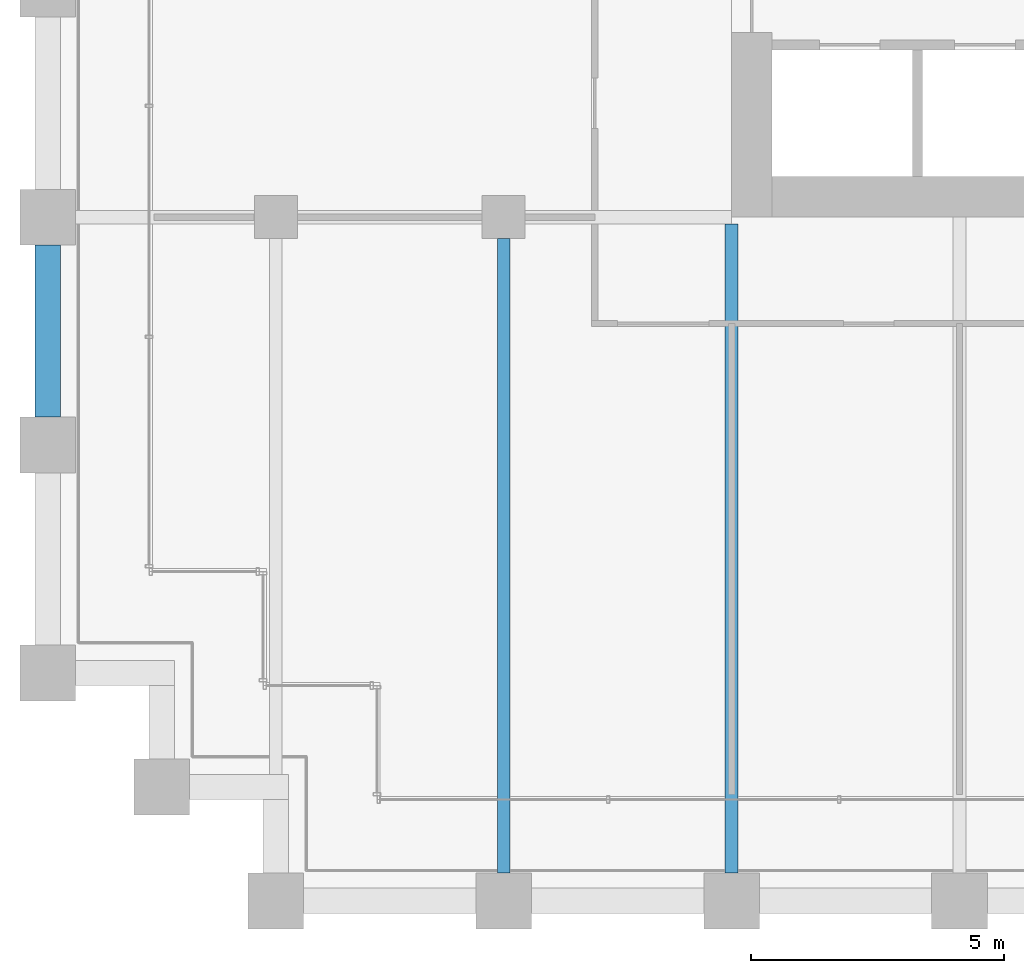
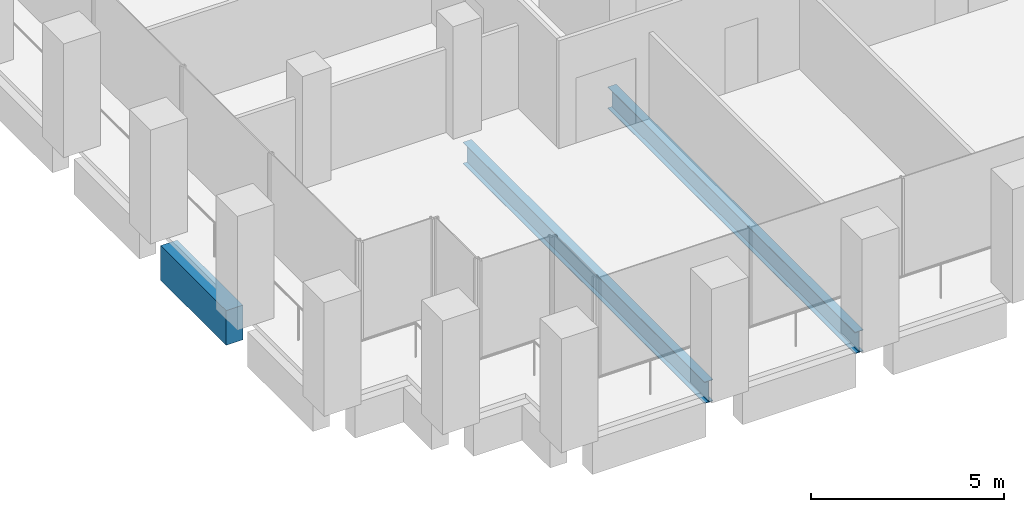
# One storey, part 4 of 56: 3 beams.
"""IFC4 building model written with IfcOpenShell, lengths in metres."""

from ifc_helpers import new_model, si_unit, direction, frame, origin, origin_2d, place, context, subcontext, project, spatial, rectangle, i_section, extrude, material, material_profile, profile_set, type_object, element, save


model = new_model("IFC4")

# Units and contexts
model_context = context("Model", 3, precision=1e-05, world=origin(), true_north=direction((0.0, 1.0)))
body_context = subcontext(model_context, "Body", "Model", "MODEL_VIEW")
ifc_project = project(units=[si_unit("LENGTHUNIT", "METRE"), si_unit("AREAUNIT", "SQUARE_METRE"), si_unit("VOLUMEUNIT", "CUBIC_METRE"), si_unit("PLANEANGLEUNIT", "RADIAN"), si_unit("MASSUNIT", "GRAM", prefix="KILO")], contexts=[model_context])

# Site, building, storey
site_placement = place(None, origin())
site = spatial("IfcSite", under=ifc_project, at=site_placement, CompositionType="ELEMENT")
building_placement = place(site_placement, origin())
building = spatial("IfcBuilding", under=site, at=building_placement, Name="Altepetl Exchange Towers", CompositionType="ELEMENT")
storey_placement = place(building_placement, frame((0.0, 0.0, 54.60009765625)))
storey = spatial("IfcBuildingStorey", under=building, at=storey_placement, Name="L12", CompositionType="ELEMENT", Elevation=54.60009765625)

# Beams
ifc_material_1 = material(Name="Steel S355", Category="steel")
ifc_material_profile_1 = material_profile(ifc_material_1, i_section(OverallWidth=0.25390625, OverallDepth=0.68408203125, WebThickness=0.012451171875, FlangeThickness=0.018798828125, at=origin_2d()), Name="W27X94")
ifc_profile_set_1 = profile_set([ifc_material_profile_1], Name="Steel S355")
beam_type_1 = type_object("IfcBeamType", Name="Floor beam W27X94", PredefinedType="BEAM", material=ifc_profile_set_1)
beam_1_placement = place(storey_placement, frame((36.0, 27.550048828125, -0.4921875), z_axis=(0.0, 1.0, 0.0), x_axis=(-1.0, 0.0, 0.0)))
element("IfcBeam", 1, at=beam_1_placement, inside=storey, type_object=beam_type_1, Name="bm:A:L12:013", PredefinedType="BEAM", context=body_context, shape_type="SweptSolid", body=[
    extrude(i_section(OverallWidth=0.25390625, OverallDepth=0.68408203125, WebThickness=0.012451171875, FlangeThickness=0.018798828125, at=origin_2d()), origin(), (0.0, 0.0, 1.0), 12.52490234375),
])
beam_2_placement = place(storey_placement, frame((40.5, 27.550048828125, -0.4921875), z_axis=(0.0, 1.0, 0.0), x_axis=(-1.0, 0.0, 0.0)))
element("IfcBeam", 2, at=beam_2_placement, inside=storey, type_object=beam_type_1, Name="bm:A:L12:014", PredefinedType="BEAM", context=body_context, shape_type="SweptSolid", body=[
    extrude(i_section(OverallWidth=0.25390625, OverallDepth=0.68408203125, WebThickness=0.012451171875, FlangeThickness=0.018798828125, at=origin_2d()), origin(), (0.0, 0.0, 1.0), 12.81591796875),
])
ifc_material_2 = material(Name="Concrete C50/60 precast with cantera blanca facing", Category="concrete")
ifc_material_profile_2 = material_profile(ifc_material_2, rectangle(XDim=0.5, YDim=1.10009765625, at=origin_2d()), Name="500 x 1100")
ifc_profile_set_2 = profile_set([ifc_material_profile_2], Name="Concrete C50/60 precast with cantera blanca facing")
beam_type_2 = type_object("IfcBeamType", Name="Spandrel beam 500x1100 cantera blanca", PredefinedType="SPANDREL", material=ifc_profile_set_2)
beam_3_placement = place(storey_placement, frame((27.0, 39.949951171875, -0.7001953125), z_axis=(0.0, -1.0, 0.0), x_axis=(1.0, 0.0, 0.0)))
element("IfcBeam", 3, at=beam_3_placement, inside=storey, type_object=beam_type_2, Name="sp:A:L12:042", PredefinedType="SPANDREL", context=body_context, shape_type="SweptSolid", body=[
    extrude(rectangle(XDim=0.5, YDim=1.10009765625, at=origin_2d()), origin(), (0.0, 0.0, 1.0), 3.39990234375),
])

save(model, "model.ifc")
